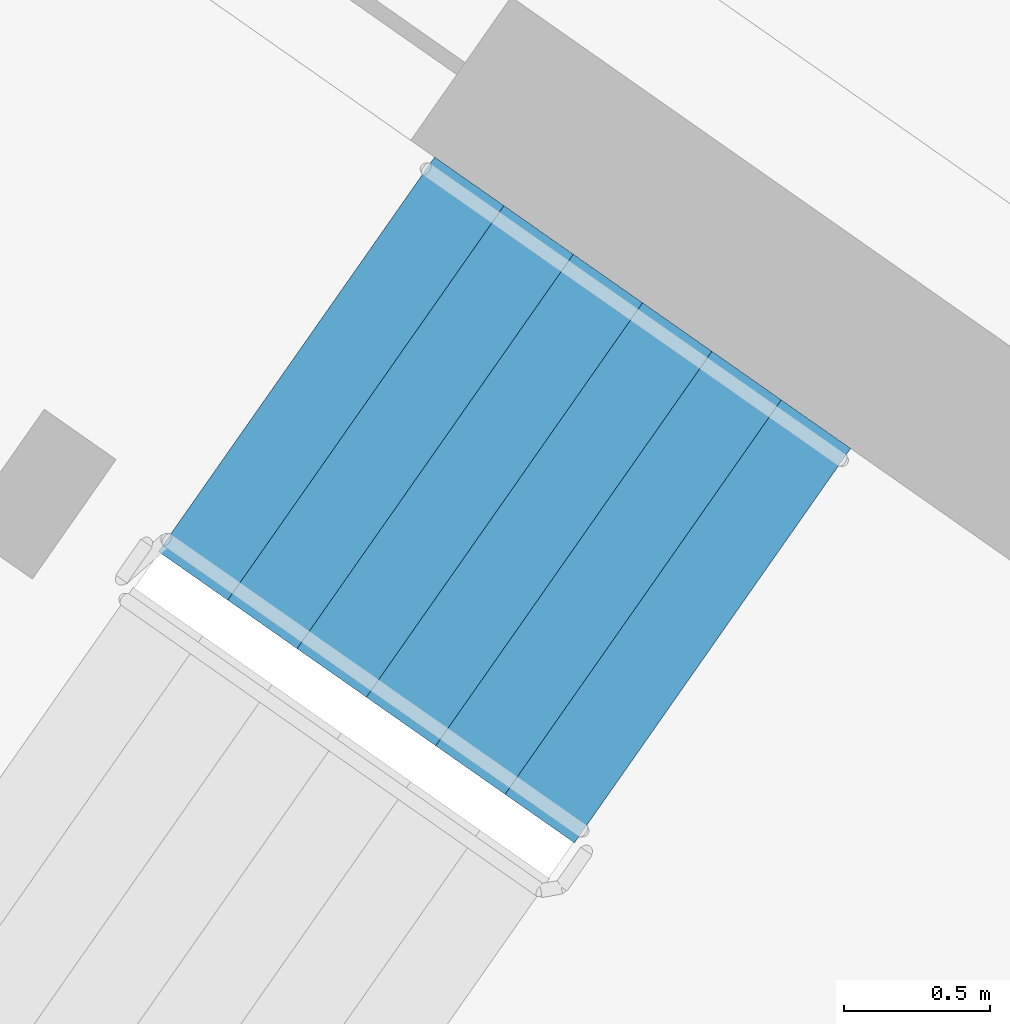
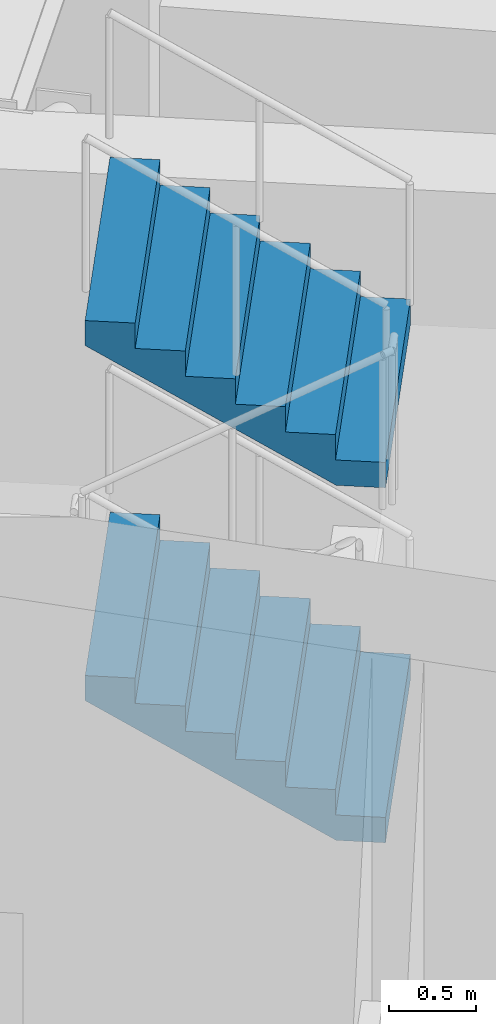
# One storey, part 16 of 24: 2 stair flights, 1 element without a shape of its own.
"""IFC4 building model written with IfcOpenShell, lengths in metres."""

from ifc_helpers import new_model, si_unit, direction, frame, origin, place, context, subcontext, project, spatial, faceted_brep, material, type_object, element, aggregate, save


model = new_model("IFC4")

# Units and contexts
model_context = context("Model", 3, precision=1e-05, world=origin(), true_north=direction((0.0, 1.0)))
body_context = subcontext(model_context, "Body", "Model", "MODEL_VIEW")
ifc_project = project(units=[si_unit("LENGTHUNIT", "METRE"), si_unit("AREAUNIT", "SQUARE_METRE"), si_unit("VOLUMEUNIT", "CUBIC_METRE"), si_unit("PLANEANGLEUNIT", "RADIAN"), si_unit("MASSUNIT", "GRAM", prefix="KILO")], contexts=[model_context])

# Site, building, storey
site_placement = place(None, origin())
site = spatial("IfcSite", under=ifc_project, at=site_placement, CompositionType="ELEMENT")
building_placement = place(site_placement, origin())
building = spatial("IfcBuilding", under=site, at=building_placement, Name="Qamariyya Broadcast Tower", CompositionType="ELEMENT")
storey_placement = place(building_placement, frame((0.0, 0.0, 253.10009765625)))
storey = spatial("IfcBuildingStorey", under=building, at=storey_placement, Name="L61", CompositionType="ELEMENT", Elevation=253.10009765625)

# Stair, stair flights
ifc_material = material(Name="Concrete C50/60", Category="concrete")
stair_type = type_object("IfcStairType", Name="Exit stair 28 risers of 179 mm", PredefinedType="HALF_TURN_STAIR", material=ifc_material)
stair_placement = place(storey_placement, origin())
stair = element("IfcStair", 1, at=stair_placement, inside=storey, type_object=stair_type, Name="L61 Stair W2", PredefinedType="HALF_TURN_STAIR")
stair_flight_type = type_object("IfcStairFlightType", Name="Exit stair flight 7 risers of 179 mm", PredefinedType="STRAIGHT", material=ifc_material)
stair_flight_1_placement = place(storey_placement, frame((-39.133544921875, -48.683349609375, 1.25), z_axis=(0.0, 0.0, 1.0), x_axis=(-0.819152044289, 0.573576436351, 0.0)))
stair_flight_1 = element("IfcStairFlight", 2, at=stair_flight_1_placement, type_object=stair_flight_type, Name="ST-W2 flight 2", NumberOfRisers=7, NumberOfTreads=6, PredefinedType="STRAIGHT", RiserHeight=0.178571429, TreadLength=0.29, context=body_context, shape_type="Brep", body=[
    faceted_brep([(0.0, 0.824951171875, 0.0), (0.0, 0.824951171875, 0.178466796875), (0.2900390625, 0.824951171875, 0.178466796875), (0.2900390625, 0.824951171875, 0.357177734375), (0.580078125, 0.824951171875, 0.357177734375), (0.580078125, 0.824951171875, 0.53564453125), (0.8701171875, 0.824951171875, 0.53564453125), (0.8701171875, 0.824951171875, 0.71435546875), (1.159912109375, 0.824951171875, 0.71435546875), (1.159912109375, 0.824951171875, 0.892822265625), (1.449951171875, 0.824951171875, 0.892822265625), (1.449951171875, 0.824951171875, 1.071533203125), (1.739990234375, 0.824951171875, 1.071533203125), (1.739990234375, 0.824951171875, 0.8955078125), (0.285888671875, 0.824951171875, 0.0), (0.285888671875, -0.824951171875, 0.0), (1.739990234375, -0.824951171875, 0.8955078125), (1.739990234375, -0.824951171875, 1.071533203125), (1.449951171875, -0.824951171875, 1.071533203125), (1.449951171875, -0.824951171875, 0.892822265625), (1.159912109375, -0.824951171875, 0.892822265625), (1.159912109375, -0.824951171875, 0.71435546875), (0.8701171875, -0.824951171875, 0.71435546875), (0.8701171875, -0.824951171875, 0.53564453125), (0.580078125, -0.824951171875, 0.53564453125), (0.580078125, -0.824951171875, 0.357177734375), (0.2900390625, -0.824951171875, 0.357177734375), (0.2900390625, -0.824951171875, 0.178466796875), (0.0, -0.824951171875, 0.178466796875), (0.0, -0.824951171875, 0.0), (0.0, 0.10009765625, 0.0), (0.0, 0.086669921875, 0.0), (0.0, 0.0732421875, 0.0), (0.0, 0.06005859375, 0.0), (0.0, 0.046630859375, 0.0), (0.0, 0.033447265625, 0.0), (0.0, 0.02001953125, 0.0), (0.0, 0.006591796875, 0.0), (0.0, -0.006591796875, 0.0), (0.0, -0.02001953125, 0.0), (0.0, -0.033447265625, 0.0), (0.0, -0.046630859375, 0.0), (0.0, -0.06005859375, 0.0), (0.0, -0.0732421875, 0.0), (0.0, -0.086669921875, 0.0), (0.0, -0.10009765625, 0.0), (0.0, -0.10009765625, 0.178466796875), (0.0, -0.086669921875, 0.178466796875), (0.0, -0.0732421875, 0.178466796875), (0.0, -0.06005859375, 0.178466796875), (0.0, -0.046630859375, 0.178466796875), (0.0, -0.033447265625, 0.178466796875), (0.0, -0.02001953125, 0.178466796875), (0.0, -0.006591796875, 0.178466796875), (0.0, 0.006591796875, 0.178466796875), (0.0, 0.02001953125, 0.178466796875), (0.0, 0.033447265625, 0.178466796875), (0.0, 0.046630859375, 0.178466796875), (0.0, 0.06005859375, 0.178466796875), (0.0, 0.0732421875, 0.178466796875), (0.0, 0.086669921875, 0.178466796875), (0.0, 0.10009765625, 0.178466796875), (0.2900390625, -0.10009765625, 0.178466796875), (0.2900390625, -0.086669921875, 0.178466796875), (0.2900390625, -0.0732421875, 0.178466796875), (0.2900390625, -0.06005859375, 0.178466796875), (0.2900390625, -0.046630859375, 0.178466796875), (0.2900390625, -0.033447265625, 0.178466796875), (0.2900390625, -0.02001953125, 0.178466796875), (0.2900390625, -0.006591796875, 0.178466796875), (0.2900390625, 0.006591796875, 0.178466796875), (0.2900390625, 0.02001953125, 0.178466796875), (0.2900390625, 0.033447265625, 0.178466796875), (0.2900390625, 0.046630859375, 0.178466796875), (0.2900390625, 0.06005859375, 0.178466796875), (0.2900390625, 0.0732421875, 0.178466796875), (0.2900390625, 0.086669921875, 0.178466796875), (0.2900390625, 0.10009765625, 0.178466796875), (0.2900390625, -0.10009765625, 0.357177734375), (0.2900390625, -0.086669921875, 0.357177734375), (0.2900390625, -0.0732421875, 0.357177734375), (0.2900390625, -0.06005859375, 0.357177734375), (0.2900390625, -0.046630859375, 0.357177734375), (0.2900390625, -0.033447265625, 0.357177734375), (0.2900390625, -0.02001953125, 0.357177734375), (0.2900390625, -0.006591796875, 0.357177734375), (0.2900390625, 0.006591796875, 0.357177734375), (0.2900390625, 0.02001953125, 0.357177734375), (0.2900390625, 0.033447265625, 0.357177734375), (0.2900390625, 0.046630859375, 0.357177734375), (0.2900390625, 0.06005859375, 0.357177734375), (0.2900390625, 0.0732421875, 0.357177734375), (0.2900390625, 0.086669921875, 0.357177734375), (0.2900390625, 0.10009765625, 0.357177734375), (0.580078125, -0.10009765625, 0.357177734375), (0.580078125, -0.086669921875, 0.357177734375), (0.580078125, -0.0732421875, 0.357177734375), (0.580078125, -0.06005859375, 0.357177734375), (0.580078125, -0.046630859375, 0.357177734375), (0.580078125, -0.033447265625, 0.357177734375), (0.580078125, -0.02001953125, 0.357177734375), (0.580078125, -0.006591796875, 0.357177734375), (0.580078125, 0.006591796875, 0.357177734375), (0.580078125, 0.02001953125, 0.357177734375), (0.580078125, 0.033447265625, 0.357177734375), (0.580078125, 0.046630859375, 0.357177734375), (0.580078125, 0.06005859375, 0.357177734375), (0.580078125, 0.0732421875, 0.357177734375), (0.580078125, 0.086669921875, 0.357177734375), (0.580078125, 0.10009765625, 0.357177734375), (0.580078125, -0.10009765625, 0.53564453125), (0.580078125, -0.086669921875, 0.53564453125), (0.580078125, -0.0732421875, 0.53564453125), (0.580078125, -0.06005859375, 0.53564453125), (0.580078125, -0.046630859375, 0.53564453125), (0.580078125, -0.033447265625, 0.53564453125), (0.580078125, -0.02001953125, 0.53564453125), (0.580078125, -0.006591796875, 0.53564453125), (0.580078125, 0.006591796875, 0.53564453125), (0.580078125, 0.02001953125, 0.53564453125), (0.580078125, 0.033447265625, 0.53564453125), (0.580078125, 0.046630859375, 0.53564453125), (0.580078125, 0.06005859375, 0.53564453125), (0.580078125, 0.0732421875, 0.53564453125), (0.580078125, 0.086669921875, 0.53564453125), (0.580078125, 0.10009765625, 0.53564453125), (0.8701171875, -0.10009765625, 0.53564453125), (0.8701171875, -0.086669921875, 0.53564453125), (0.8701171875, -0.0732421875, 0.53564453125), (0.8701171875, -0.06005859375, 0.53564453125), (0.8701171875, -0.046630859375, 0.53564453125), (0.8701171875, -0.033447265625, 0.53564453125), (0.8701171875, -0.02001953125, 0.53564453125), (0.8701171875, -0.006591796875, 0.53564453125), (0.8701171875, 0.006591796875, 0.53564453125), (0.8701171875, 0.02001953125, 0.53564453125), (0.8701171875, 0.033447265625, 0.53564453125), (0.8701171875, 0.046630859375, 0.53564453125), (0.8701171875, 0.06005859375, 0.53564453125), (0.8701171875, 0.0732421875, 0.53564453125), (0.8701171875, 0.086669921875, 0.53564453125), (0.8701171875, 0.10009765625, 0.53564453125), (0.8701171875, -0.10009765625, 0.71435546875), (0.8701171875, -0.086669921875, 0.71435546875), (0.8701171875, -0.0732421875, 0.71435546875), (0.8701171875, -0.06005859375, 0.71435546875), (0.8701171875, -0.046630859375, 0.71435546875), (0.8701171875, -0.033447265625, 0.71435546875), (0.8701171875, -0.02001953125, 0.71435546875), (0.8701171875, -0.006591796875, 0.71435546875), (0.8701171875, 0.006591796875, 0.71435546875), (0.8701171875, 0.02001953125, 0.71435546875), (0.8701171875, 0.033447265625, 0.71435546875), (0.8701171875, 0.046630859375, 0.71435546875), (0.8701171875, 0.06005859375, 0.71435546875), (0.8701171875, 0.0732421875, 0.71435546875), (0.8701171875, 0.086669921875, 0.71435546875), (0.8701171875, 0.10009765625, 0.71435546875), (1.159912109375, -0.10009765625, 0.71435546875), (1.159912109375, -0.086669921875, 0.71435546875), (1.159912109375, -0.0732421875, 0.71435546875), (1.159912109375, -0.06005859375, 0.71435546875), (1.159912109375, -0.046630859375, 0.71435546875), (1.159912109375, -0.033447265625, 0.71435546875), (1.159912109375, -0.02001953125, 0.71435546875), (1.159912109375, -0.006591796875, 0.71435546875), (1.159912109375, 0.006591796875, 0.71435546875), (1.159912109375, 0.02001953125, 0.71435546875), (1.159912109375, 0.033447265625, 0.71435546875), (1.159912109375, 0.046630859375, 0.71435546875), (1.159912109375, 0.06005859375, 0.71435546875), (1.159912109375, 0.0732421875, 0.71435546875), (1.159912109375, 0.086669921875, 0.71435546875), (1.159912109375, 0.10009765625, 0.71435546875), (1.159912109375, -0.10009765625, 0.892822265625), (1.159912109375, -0.086669921875, 0.892822265625), (1.159912109375, -0.0732421875, 0.892822265625), (1.159912109375, -0.06005859375, 0.892822265625), (1.159912109375, -0.046630859375, 0.892822265625), (1.159912109375, -0.033447265625, 0.892822265625), (1.159912109375, -0.02001953125, 0.892822265625), (1.159912109375, -0.006591796875, 0.892822265625), (1.159912109375, 0.006591796875, 0.892822265625), (1.159912109375, 0.02001953125, 0.892822265625), (1.159912109375, 0.033447265625, 0.892822265625), (1.159912109375, 0.046630859375, 0.892822265625), (1.159912109375, 0.06005859375, 0.892822265625), (1.159912109375, 0.0732421875, 0.892822265625), (1.159912109375, 0.086669921875, 0.892822265625), (1.159912109375, 0.10009765625, 0.892822265625), (1.449951171875, -0.10009765625, 0.892822265625), (1.449951171875, -0.086669921875, 0.892822265625), (1.449951171875, -0.0732421875, 0.892822265625), (1.449951171875, -0.06005859375, 0.892822265625), (1.449951171875, -0.046630859375, 0.892822265625), (1.449951171875, -0.033447265625, 0.892822265625), (1.449951171875, -0.02001953125, 0.892822265625), (1.449951171875, -0.006591796875, 0.892822265625), (1.449951171875, 0.006591796875, 0.892822265625), (1.449951171875, 0.02001953125, 0.892822265625), (1.449951171875, 0.033447265625, 0.892822265625), (1.449951171875, 0.046630859375, 0.892822265625), (1.449951171875, 0.06005859375, 0.892822265625), (1.449951171875, 0.0732421875, 0.892822265625), (1.449951171875, 0.086669921875, 0.892822265625), (1.449951171875, 0.10009765625, 0.892822265625), (1.449951171875, -0.10009765625, 1.071533203125), (1.449951171875, -0.086669921875, 1.071533203125), (1.449951171875, -0.0732421875, 1.071533203125), (1.449951171875, -0.06005859375, 1.071533203125), (1.449951171875, -0.046630859375, 1.071533203125), (1.449951171875, -0.033447265625, 1.071533203125), (1.449951171875, -0.02001953125, 1.071533203125), (1.449951171875, -0.006591796875, 1.071533203125), (1.449951171875, 0.006591796875, 1.071533203125), (1.449951171875, 0.02001953125, 1.071533203125), (1.449951171875, 0.033447265625, 1.071533203125), (1.449951171875, 0.046630859375, 1.071533203125), (1.449951171875, 0.06005859375, 1.071533203125), (1.449951171875, 0.0732421875, 1.071533203125), (1.449951171875, 0.086669921875, 1.071533203125), (1.449951171875, 0.10009765625, 1.071533203125), (1.739990234375, -0.10009765625, 1.071533203125), (1.739990234375, -0.086669921875, 1.071533203125), (1.739990234375, -0.0732421875, 1.071533203125), (1.739990234375, -0.06005859375, 1.071533203125), (1.739990234375, -0.046630859375, 1.071533203125), (1.739990234375, -0.033447265625, 1.071533203125), (1.739990234375, -0.02001953125, 1.071533203125), (1.739990234375, -0.006591796875, 1.071533203125), (1.739990234375, 0.006591796875, 1.071533203125), (1.739990234375, 0.02001953125, 1.071533203125), (1.739990234375, 0.033447265625, 1.071533203125), (1.739990234375, 0.046630859375, 1.071533203125), (1.739990234375, 0.06005859375, 1.071533203125), (1.739990234375, 0.0732421875, 1.071533203125), (1.739990234375, 0.086669921875, 1.071533203125), (1.739990234375, 0.10009765625, 1.071533203125), (1.739990234375, -0.10009765625, 0.8955078125), (1.739990234375, -0.086669921875, 0.8955078125), (1.739990234375, -0.0732421875, 0.8955078125), (1.739990234375, -0.06005859375, 0.8955078125), (1.739990234375, -0.046630859375, 0.8955078125), (1.739990234375, -0.033447265625, 0.8955078125), (1.739990234375, -0.02001953125, 0.8955078125), (1.739990234375, -0.006591796875, 0.8955078125), (1.739990234375, 0.006591796875, 0.8955078125), (1.739990234375, 0.02001953125, 0.8955078125), (1.739990234375, 0.033447265625, 0.8955078125), (1.739990234375, 0.046630859375, 0.8955078125), (1.739990234375, 0.06005859375, 0.8955078125), (1.739990234375, 0.0732421875, 0.8955078125), (1.739990234375, 0.086669921875, 0.8955078125), (1.739990234375, 0.10009765625, 0.8955078125), (0.285888671875, -0.10009765625, 0.0), (0.285888671875, -0.086669921875, 0.0), (0.285888671875, -0.0732421875, 0.0), (0.285888671875, -0.06005859375, 0.0), (0.285888671875, -0.046630859375, 0.0), (0.285888671875, -0.033447265625, 0.0), (0.285888671875, -0.02001953125, 0.0), (0.285888671875, -0.006591796875, 0.0), (0.285888671875, 0.006591796875, 0.0), (0.285888671875, 0.02001953125, 0.0), (0.285888671875, 0.033447265625, 0.0), (0.285888671875, 0.046630859375, 0.0), (0.285888671875, 0.06005859375, 0.0), (0.285888671875, 0.0732421875, 0.0), (0.285888671875, 0.086669921875, 0.0), (0.285888671875, 0.10009765625, 0.0)], [[[0, 1, 2, 3, 4, 5, 6, 7, 8, 9, 10, 11, 12, 13, 14]], [[15, 16, 17, 18, 19, 20, 21, 22, 23, 24, 25, 26, 27, 28, 29]], [[0, 30, 31, 32, 33, 34, 35, 36, 37, 38, 39, 40, 41, 42, 43, 44, 45, 29, 28, 46, 47, 48, 49, 50, 51, 52, 53, 54, 55, 56, 57, 58, 59, 60, 61, 1]], [[1, 61, 60, 59, 58, 57, 56, 55, 54, 53, 52, 51, 50, 49, 48, 47, 46, 28, 27, 62, 63, 64, 65, 66, 67, 68, 69, 70, 71, 72, 73, 74, 75, 76, 77, 2]], [[2, 77, 76, 75, 74, 73, 72, 71, 70, 69, 68, 67, 66, 65, 64, 63, 62, 27, 26, 78, 79, 80, 81, 82, 83, 84, 85, 86, 87, 88, 89, 90, 91, 92, 93, 3]], [[3, 93, 92, 91, 90, 89, 88, 87, 86, 85, 84, 83, 82, 81, 80, 79, 78, 26, 25, 94, 95, 96, 97, 98, 99, 100, 101, 102, 103, 104, 105, 106, 107, 108, 109, 4]], [[4, 109, 108, 107, 106, 105, 104, 103, 102, 101, 100, 99, 98, 97, 96, 95, 94, 25, 24, 110, 111, 112, 113, 114, 115, 116, 117, 118, 119, 120, 121, 122, 123, 124, 125, 5]], [[5, 125, 124, 123, 122, 121, 120, 119, 118, 117, 116, 115, 114, 113, 112, 111, 110, 24, 23, 126, 127, 128, 129, 130, 131, 132, 133, 134, 135, 136, 137, 138, 139, 140, 141, 6]], [[6, 141, 140, 139, 138, 137, 136, 135, 134, 133, 132, 131, 130, 129, 128, 127, 126, 23, 22, 142, 143, 144, 145, 146, 147, 148, 149, 150, 151, 152, 153, 154, 155, 156, 157, 7]], [[7, 157, 156, 155, 154, 153, 152, 151, 150, 149, 148, 147, 146, 145, 144, 143, 142, 22, 21, 158, 159, 160, 161, 162, 163, 164, 165, 166, 167, 168, 169, 170, 171, 172, 173, 8]], [[8, 173, 172, 171, 170, 169, 168, 167, 166, 165, 164, 163, 162, 161, 160, 159, 158, 21, 20, 174, 175, 176, 177, 178, 179, 180, 181, 182, 183, 184, 185, 186, 187, 188, 189, 9]], [[9, 189, 188, 187, 186, 185, 184, 183, 182, 181, 180, 179, 178, 177, 176, 175, 174, 20, 19, 190, 191, 192, 193, 194, 195, 196, 197, 198, 199, 200, 201, 202, 203, 204, 205, 10]], [[10, 205, 204, 203, 202, 201, 200, 199, 198, 197, 196, 195, 194, 193, 192, 191, 190, 19, 18, 206, 207, 208, 209, 210, 211, 212, 213, 214, 215, 216, 217, 218, 219, 220, 221, 11]], [[11, 221, 220, 219, 218, 217, 216, 215, 214, 213, 212, 211, 210, 209, 208, 207, 206, 18, 17, 222, 223, 224, 225, 226, 227, 228, 229, 230, 231, 232, 233, 234, 235, 236, 237, 12]], [[12, 237, 236, 235, 234, 233, 232, 231, 230, 229, 228, 227, 226, 225, 224, 223, 222, 17, 16, 238, 239, 240, 241, 242, 243, 244, 245, 246, 247, 248, 249, 250, 251, 252, 253, 13]], [[13, 253, 252, 251, 250, 249, 248, 247, 246, 245, 244, 243, 242, 241, 240, 239, 238, 16, 15, 254, 255, 256, 257, 258, 259, 260, 261, 262, 263, 264, 265, 266, 267, 268, 269, 14]], [[14, 269, 268, 267, 266, 265, 264, 263, 262, 261, 260, 259, 258, 257, 256, 255, 254, 15, 29, 45, 44, 43, 42, 41, 40, 39, 38, 37, 36, 35, 34, 33, 32, 31, 30, 0]]]),
])
stair_flight_2_placement = place(storey_placement, frame((-39.133544921875, -48.683349609375, 3.75), z_axis=(0.0, 0.0, 1.0), x_axis=(-0.819152044289, 0.573576436351, 0.0)))
stair_flight_2 = element("IfcStairFlight", 3, at=stair_flight_2_placement, type_object=stair_flight_type, Name="ST-W2 flight 4", NumberOfRisers=7, NumberOfTreads=6, PredefinedType="STRAIGHT", RiserHeight=0.178571429, TreadLength=0.29, context=body_context, shape_type="Brep", body=[
    faceted_brep([(0.0, 0.824951171875, 0.0), (0.0, 0.824951171875, 0.178466796875), (0.2900390625, 0.824951171875, 0.178466796875), (0.2900390625, 0.824951171875, 0.357177734375), (0.580078125, 0.824951171875, 0.357177734375), (0.580078125, 0.824951171875, 0.53564453125), (0.8701171875, 0.824951171875, 0.53564453125), (0.8701171875, 0.824951171875, 0.71435546875), (1.159912109375, 0.824951171875, 0.71435546875), (1.159912109375, 0.824951171875, 0.892822265625), (1.449951171875, 0.824951171875, 0.892822265625), (1.449951171875, 0.824951171875, 1.071533203125), (1.739990234375, 0.824951171875, 1.071533203125), (1.739990234375, 0.824951171875, 0.8955078125), (0.285888671875, 0.824951171875, 0.0), (0.285888671875, -0.824951171875, 0.0), (1.739990234375, -0.824951171875, 0.8955078125), (1.739990234375, -0.824951171875, 1.071533203125), (1.449951171875, -0.824951171875, 1.071533203125), (1.449951171875, -0.824951171875, 0.892822265625), (1.159912109375, -0.824951171875, 0.892822265625), (1.159912109375, -0.824951171875, 0.71435546875), (0.8701171875, -0.824951171875, 0.71435546875), (0.8701171875, -0.824951171875, 0.53564453125), (0.580078125, -0.824951171875, 0.53564453125), (0.580078125, -0.824951171875, 0.357177734375), (0.2900390625, -0.824951171875, 0.357177734375), (0.2900390625, -0.824951171875, 0.178466796875), (0.0, -0.824951171875, 0.178466796875), (0.0, -0.824951171875, 0.0), (0.0, 0.10009765625, 0.0), (0.0, 0.086669921875, 0.0), (0.0, 0.0732421875, 0.0), (0.0, 0.06005859375, 0.0), (0.0, 0.046630859375, 0.0), (0.0, 0.033447265625, 0.0), (0.0, 0.02001953125, 0.0), (0.0, 0.006591796875, 0.0), (0.0, -0.006591796875, 0.0), (0.0, -0.02001953125, 0.0), (0.0, -0.033447265625, 0.0), (0.0, -0.046630859375, 0.0), (0.0, -0.06005859375, 0.0), (0.0, -0.0732421875, 0.0), (0.0, -0.086669921875, 0.0), (0.0, -0.10009765625, 0.0), (0.0, -0.10009765625, 0.178466796875), (0.0, -0.086669921875, 0.178466796875), (0.0, -0.0732421875, 0.178466796875), (0.0, -0.06005859375, 0.178466796875), (0.0, -0.046630859375, 0.178466796875), (0.0, -0.033447265625, 0.178466796875), (0.0, -0.02001953125, 0.178466796875), (0.0, -0.006591796875, 0.178466796875), (0.0, 0.006591796875, 0.178466796875), (0.0, 0.02001953125, 0.178466796875), (0.0, 0.033447265625, 0.178466796875), (0.0, 0.046630859375, 0.178466796875), (0.0, 0.06005859375, 0.178466796875), (0.0, 0.0732421875, 0.178466796875), (0.0, 0.086669921875, 0.178466796875), (0.0, 0.10009765625, 0.178466796875), (0.2900390625, -0.10009765625, 0.178466796875), (0.2900390625, -0.086669921875, 0.178466796875), (0.2900390625, -0.0732421875, 0.178466796875), (0.2900390625, -0.06005859375, 0.178466796875), (0.2900390625, -0.046630859375, 0.178466796875), (0.2900390625, -0.033447265625, 0.178466796875), (0.2900390625, -0.02001953125, 0.178466796875), (0.2900390625, -0.006591796875, 0.178466796875), (0.2900390625, 0.006591796875, 0.178466796875), (0.2900390625, 0.02001953125, 0.178466796875), (0.2900390625, 0.033447265625, 0.178466796875), (0.2900390625, 0.046630859375, 0.178466796875), (0.2900390625, 0.06005859375, 0.178466796875), (0.2900390625, 0.0732421875, 0.178466796875), (0.2900390625, 0.086669921875, 0.178466796875), (0.2900390625, 0.10009765625, 0.178466796875), (0.2900390625, -0.10009765625, 0.357177734375), (0.2900390625, -0.086669921875, 0.357177734375), (0.2900390625, -0.0732421875, 0.357177734375), (0.2900390625, -0.06005859375, 0.357177734375), (0.2900390625, -0.046630859375, 0.357177734375), (0.2900390625, -0.033447265625, 0.357177734375), (0.2900390625, -0.02001953125, 0.357177734375), (0.2900390625, -0.006591796875, 0.357177734375), (0.2900390625, 0.006591796875, 0.357177734375), (0.2900390625, 0.02001953125, 0.357177734375), (0.2900390625, 0.033447265625, 0.357177734375), (0.2900390625, 0.046630859375, 0.357177734375), (0.2900390625, 0.06005859375, 0.357177734375), (0.2900390625, 0.0732421875, 0.357177734375), (0.2900390625, 0.086669921875, 0.357177734375), (0.2900390625, 0.10009765625, 0.357177734375), (0.580078125, -0.10009765625, 0.357177734375), (0.580078125, -0.086669921875, 0.357177734375), (0.580078125, -0.0732421875, 0.357177734375), (0.580078125, -0.06005859375, 0.357177734375), (0.580078125, -0.046630859375, 0.357177734375), (0.580078125, -0.033447265625, 0.357177734375), (0.580078125, -0.02001953125, 0.357177734375), (0.580078125, -0.006591796875, 0.357177734375), (0.580078125, 0.006591796875, 0.357177734375), (0.580078125, 0.02001953125, 0.357177734375), (0.580078125, 0.033447265625, 0.357177734375), (0.580078125, 0.046630859375, 0.357177734375), (0.580078125, 0.06005859375, 0.357177734375), (0.580078125, 0.0732421875, 0.357177734375), (0.580078125, 0.086669921875, 0.357177734375), (0.580078125, 0.10009765625, 0.357177734375), (0.580078125, -0.10009765625, 0.53564453125), (0.580078125, -0.086669921875, 0.53564453125), (0.580078125, -0.0732421875, 0.53564453125), (0.580078125, -0.06005859375, 0.53564453125), (0.580078125, -0.046630859375, 0.53564453125), (0.580078125, -0.033447265625, 0.53564453125), (0.580078125, -0.02001953125, 0.53564453125), (0.580078125, -0.006591796875, 0.53564453125), (0.580078125, 0.006591796875, 0.53564453125), (0.580078125, 0.02001953125, 0.53564453125), (0.580078125, 0.033447265625, 0.53564453125), (0.580078125, 0.046630859375, 0.53564453125), (0.580078125, 0.06005859375, 0.53564453125), (0.580078125, 0.0732421875, 0.53564453125), (0.580078125, 0.086669921875, 0.53564453125), (0.580078125, 0.10009765625, 0.53564453125), (0.8701171875, -0.10009765625, 0.53564453125), (0.8701171875, -0.086669921875, 0.53564453125), (0.8701171875, -0.0732421875, 0.53564453125), (0.8701171875, -0.06005859375, 0.53564453125), (0.8701171875, -0.046630859375, 0.53564453125), (0.8701171875, -0.033447265625, 0.53564453125), (0.8701171875, -0.02001953125, 0.53564453125), (0.8701171875, -0.006591796875, 0.53564453125), (0.8701171875, 0.006591796875, 0.53564453125), (0.8701171875, 0.02001953125, 0.53564453125), (0.8701171875, 0.033447265625, 0.53564453125), (0.8701171875, 0.046630859375, 0.53564453125), (0.8701171875, 0.06005859375, 0.53564453125), (0.8701171875, 0.0732421875, 0.53564453125), (0.8701171875, 0.086669921875, 0.53564453125), (0.8701171875, 0.10009765625, 0.53564453125), (0.8701171875, -0.10009765625, 0.71435546875), (0.8701171875, -0.086669921875, 0.71435546875), (0.8701171875, -0.0732421875, 0.71435546875), (0.8701171875, -0.06005859375, 0.71435546875), (0.8701171875, -0.046630859375, 0.71435546875), (0.8701171875, -0.033447265625, 0.71435546875), (0.8701171875, -0.02001953125, 0.71435546875), (0.8701171875, -0.006591796875, 0.71435546875), (0.8701171875, 0.006591796875, 0.71435546875), (0.8701171875, 0.02001953125, 0.71435546875), (0.8701171875, 0.033447265625, 0.71435546875), (0.8701171875, 0.046630859375, 0.71435546875), (0.8701171875, 0.06005859375, 0.71435546875), (0.8701171875, 0.0732421875, 0.71435546875), (0.8701171875, 0.086669921875, 0.71435546875), (0.8701171875, 0.10009765625, 0.71435546875), (1.159912109375, -0.10009765625, 0.71435546875), (1.159912109375, -0.086669921875, 0.71435546875), (1.159912109375, -0.0732421875, 0.71435546875), (1.159912109375, -0.06005859375, 0.71435546875), (1.159912109375, -0.046630859375, 0.71435546875), (1.159912109375, -0.033447265625, 0.71435546875), (1.159912109375, -0.02001953125, 0.71435546875), (1.159912109375, -0.006591796875, 0.71435546875), (1.159912109375, 0.006591796875, 0.71435546875), (1.159912109375, 0.02001953125, 0.71435546875), (1.159912109375, 0.033447265625, 0.71435546875), (1.159912109375, 0.046630859375, 0.71435546875), (1.159912109375, 0.06005859375, 0.71435546875), (1.159912109375, 0.0732421875, 0.71435546875), (1.159912109375, 0.086669921875, 0.71435546875), (1.159912109375, 0.10009765625, 0.71435546875), (1.159912109375, -0.10009765625, 0.892822265625), (1.159912109375, -0.086669921875, 0.892822265625), (1.159912109375, -0.0732421875, 0.892822265625), (1.159912109375, -0.06005859375, 0.892822265625), (1.159912109375, -0.046630859375, 0.892822265625), (1.159912109375, -0.033447265625, 0.892822265625), (1.159912109375, -0.02001953125, 0.892822265625), (1.159912109375, -0.006591796875, 0.892822265625), (1.159912109375, 0.006591796875, 0.892822265625), (1.159912109375, 0.02001953125, 0.892822265625), (1.159912109375, 0.033447265625, 0.892822265625), (1.159912109375, 0.046630859375, 0.892822265625), (1.159912109375, 0.06005859375, 0.892822265625), (1.159912109375, 0.0732421875, 0.892822265625), (1.159912109375, 0.086669921875, 0.892822265625), (1.159912109375, 0.10009765625, 0.892822265625), (1.449951171875, -0.10009765625, 0.892822265625), (1.449951171875, -0.086669921875, 0.892822265625), (1.449951171875, -0.0732421875, 0.892822265625), (1.449951171875, -0.06005859375, 0.892822265625), (1.449951171875, -0.046630859375, 0.892822265625), (1.449951171875, -0.033447265625, 0.892822265625), (1.449951171875, -0.02001953125, 0.892822265625), (1.449951171875, -0.006591796875, 0.892822265625), (1.449951171875, 0.006591796875, 0.892822265625), (1.449951171875, 0.02001953125, 0.892822265625), (1.449951171875, 0.033447265625, 0.892822265625), (1.449951171875, 0.046630859375, 0.892822265625), (1.449951171875, 0.06005859375, 0.892822265625), (1.449951171875, 0.0732421875, 0.892822265625), (1.449951171875, 0.086669921875, 0.892822265625), (1.449951171875, 0.10009765625, 0.892822265625), (1.449951171875, -0.10009765625, 1.071533203125), (1.449951171875, -0.086669921875, 1.071533203125), (1.449951171875, -0.0732421875, 1.071533203125), (1.449951171875, -0.06005859375, 1.071533203125), (1.449951171875, -0.046630859375, 1.071533203125), (1.449951171875, -0.033447265625, 1.071533203125), (1.449951171875, -0.02001953125, 1.071533203125), (1.449951171875, -0.006591796875, 1.071533203125), (1.449951171875, 0.006591796875, 1.071533203125), (1.449951171875, 0.02001953125, 1.071533203125), (1.449951171875, 0.033447265625, 1.071533203125), (1.449951171875, 0.046630859375, 1.071533203125), (1.449951171875, 0.06005859375, 1.071533203125), (1.449951171875, 0.0732421875, 1.071533203125), (1.449951171875, 0.086669921875, 1.071533203125), (1.449951171875, 0.10009765625, 1.071533203125), (1.739990234375, -0.10009765625, 1.071533203125), (1.739990234375, -0.086669921875, 1.071533203125), (1.739990234375, -0.0732421875, 1.071533203125), (1.739990234375, -0.06005859375, 1.071533203125), (1.739990234375, -0.046630859375, 1.071533203125), (1.739990234375, -0.033447265625, 1.071533203125), (1.739990234375, -0.02001953125, 1.071533203125), (1.739990234375, -0.006591796875, 1.071533203125), (1.739990234375, 0.006591796875, 1.071533203125), (1.739990234375, 0.02001953125, 1.071533203125), (1.739990234375, 0.033447265625, 1.071533203125), (1.739990234375, 0.046630859375, 1.071533203125), (1.739990234375, 0.06005859375, 1.071533203125), (1.739990234375, 0.0732421875, 1.071533203125), (1.739990234375, 0.086669921875, 1.071533203125), (1.739990234375, 0.10009765625, 1.071533203125), (1.739990234375, -0.10009765625, 0.8955078125), (1.739990234375, -0.086669921875, 0.8955078125), (1.739990234375, -0.0732421875, 0.8955078125), (1.739990234375, -0.06005859375, 0.8955078125), (1.739990234375, -0.046630859375, 0.8955078125), (1.739990234375, -0.033447265625, 0.8955078125), (1.739990234375, -0.02001953125, 0.8955078125), (1.739990234375, -0.006591796875, 0.8955078125), (1.739990234375, 0.006591796875, 0.8955078125), (1.739990234375, 0.02001953125, 0.8955078125), (1.739990234375, 0.033447265625, 0.8955078125), (1.739990234375, 0.046630859375, 0.8955078125), (1.739990234375, 0.06005859375, 0.8955078125), (1.739990234375, 0.0732421875, 0.8955078125), (1.739990234375, 0.086669921875, 0.8955078125), (1.739990234375, 0.10009765625, 0.8955078125), (0.285888671875, -0.10009765625, 0.0), (0.285888671875, -0.086669921875, 0.0), (0.285888671875, -0.0732421875, 0.0), (0.285888671875, -0.06005859375, 0.0), (0.285888671875, -0.046630859375, 0.0), (0.285888671875, -0.033447265625, 0.0), (0.285888671875, -0.02001953125, 0.0), (0.285888671875, -0.006591796875, 0.0), (0.285888671875, 0.006591796875, 0.0), (0.285888671875, 0.02001953125, 0.0), (0.285888671875, 0.033447265625, 0.0), (0.285888671875, 0.046630859375, 0.0), (0.285888671875, 0.06005859375, 0.0), (0.285888671875, 0.0732421875, 0.0), (0.285888671875, 0.086669921875, 0.0), (0.285888671875, 0.10009765625, 0.0)], [[[0, 1, 2, 3, 4, 5, 6, 7, 8, 9, 10, 11, 12, 13, 14]], [[15, 16, 17, 18, 19, 20, 21, 22, 23, 24, 25, 26, 27, 28, 29]], [[0, 30, 31, 32, 33, 34, 35, 36, 37, 38, 39, 40, 41, 42, 43, 44, 45, 29, 28, 46, 47, 48, 49, 50, 51, 52, 53, 54, 55, 56, 57, 58, 59, 60, 61, 1]], [[1, 61, 60, 59, 58, 57, 56, 55, 54, 53, 52, 51, 50, 49, 48, 47, 46, 28, 27, 62, 63, 64, 65, 66, 67, 68, 69, 70, 71, 72, 73, 74, 75, 76, 77, 2]], [[2, 77, 76, 75, 74, 73, 72, 71, 70, 69, 68, 67, 66, 65, 64, 63, 62, 27, 26, 78, 79, 80, 81, 82, 83, 84, 85, 86, 87, 88, 89, 90, 91, 92, 93, 3]], [[3, 93, 92, 91, 90, 89, 88, 87, 86, 85, 84, 83, 82, 81, 80, 79, 78, 26, 25, 94, 95, 96, 97, 98, 99, 100, 101, 102, 103, 104, 105, 106, 107, 108, 109, 4]], [[4, 109, 108, 107, 106, 105, 104, 103, 102, 101, 100, 99, 98, 97, 96, 95, 94, 25, 24, 110, 111, 112, 113, 114, 115, 116, 117, 118, 119, 120, 121, 122, 123, 124, 125, 5]], [[5, 125, 124, 123, 122, 121, 120, 119, 118, 117, 116, 115, 114, 113, 112, 111, 110, 24, 23, 126, 127, 128, 129, 130, 131, 132, 133, 134, 135, 136, 137, 138, 139, 140, 141, 6]], [[6, 141, 140, 139, 138, 137, 136, 135, 134, 133, 132, 131, 130, 129, 128, 127, 126, 23, 22, 142, 143, 144, 145, 146, 147, 148, 149, 150, 151, 152, 153, 154, 155, 156, 157, 7]], [[7, 157, 156, 155, 154, 153, 152, 151, 150, 149, 148, 147, 146, 145, 144, 143, 142, 22, 21, 158, 159, 160, 161, 162, 163, 164, 165, 166, 167, 168, 169, 170, 171, 172, 173, 8]], [[8, 173, 172, 171, 170, 169, 168, 167, 166, 165, 164, 163, 162, 161, 160, 159, 158, 21, 20, 174, 175, 176, 177, 178, 179, 180, 181, 182, 183, 184, 185, 186, 187, 188, 189, 9]], [[9, 189, 188, 187, 186, 185, 184, 183, 182, 181, 180, 179, 178, 177, 176, 175, 174, 20, 19, 190, 191, 192, 193, 194, 195, 196, 197, 198, 199, 200, 201, 202, 203, 204, 205, 10]], [[10, 205, 204, 203, 202, 201, 200, 199, 198, 197, 196, 195, 194, 193, 192, 191, 190, 19, 18, 206, 207, 208, 209, 210, 211, 212, 213, 214, 215, 216, 217, 218, 219, 220, 221, 11]], [[11, 221, 220, 219, 218, 217, 216, 215, 214, 213, 212, 211, 210, 209, 208, 207, 206, 18, 17, 222, 223, 224, 225, 226, 227, 228, 229, 230, 231, 232, 233, 234, 235, 236, 237, 12]], [[12, 237, 236, 235, 234, 233, 232, 231, 230, 229, 228, 227, 226, 225, 224, 223, 222, 17, 16, 238, 239, 240, 241, 242, 243, 244, 245, 246, 247, 248, 249, 250, 251, 252, 253, 13]], [[13, 253, 252, 251, 250, 249, 248, 247, 246, 245, 244, 243, 242, 241, 240, 239, 238, 16, 15, 254, 255, 256, 257, 258, 259, 260, 261, 262, 263, 264, 265, 266, 267, 268, 269, 14]], [[14, 269, 268, 267, 266, 265, 264, 263, 262, 261, 260, 259, 258, 257, 256, 255, 254, 15, 29, 45, 44, 43, 42, 41, 40, 39, 38, 37, 36, 35, 34, 33, 32, 31, 30, 0]]]),
])
aggregate(stair, [stair_flight_1, stair_flight_2])

save(model, "model.ifc")
